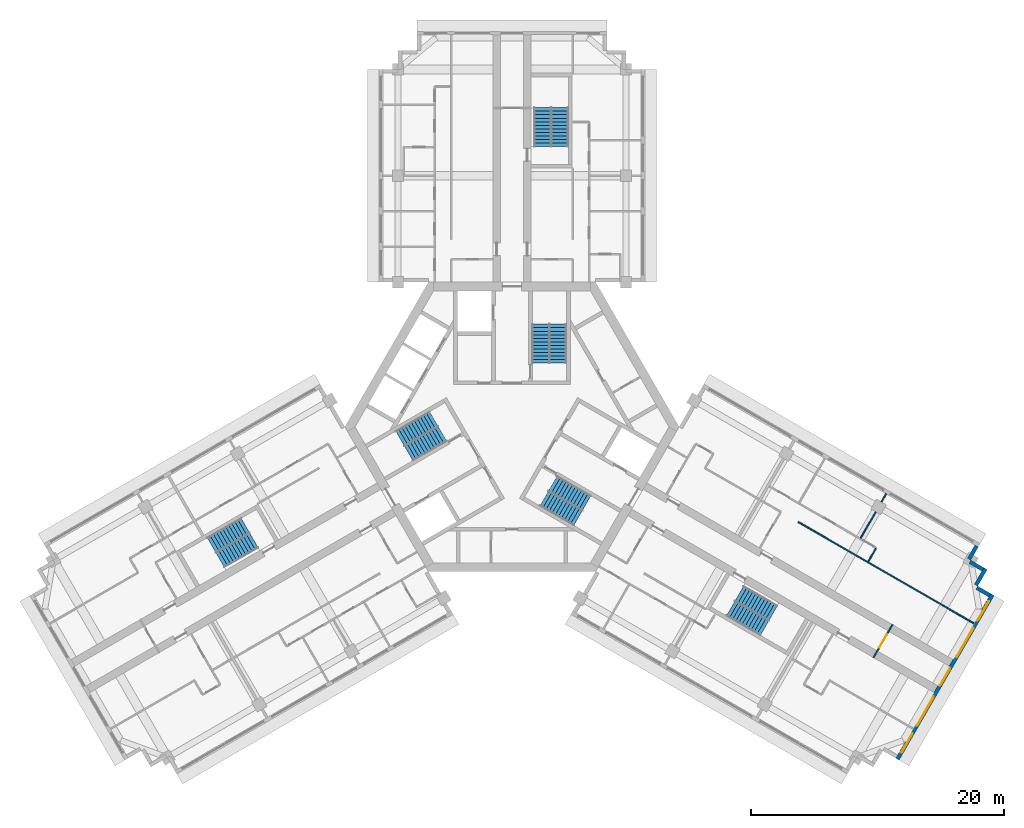
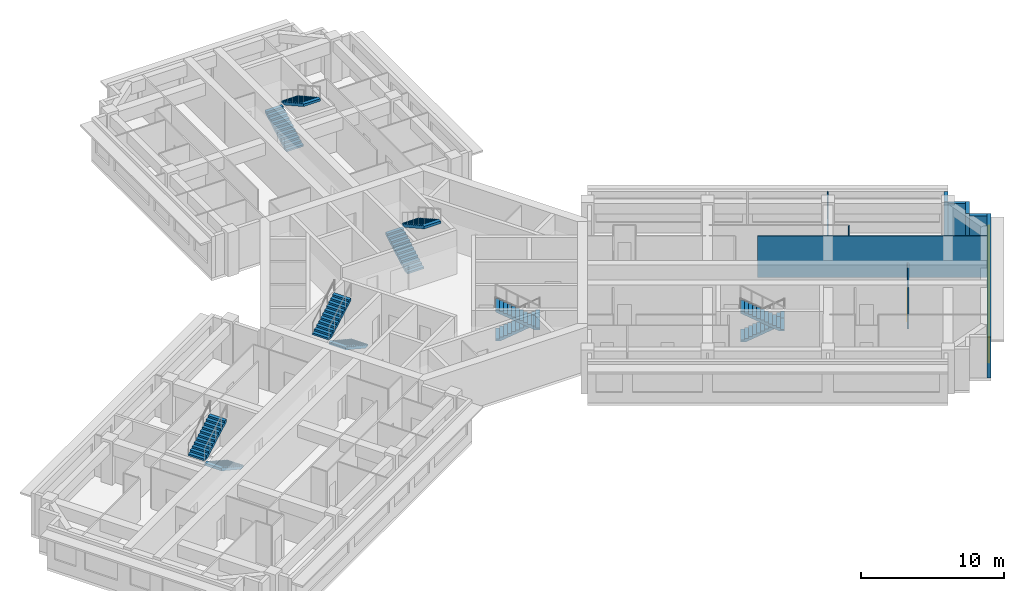
# One storey, part 9 of 10: 12 stair flights, 10 walls, 5 windows, 1 door, 6 openings, 6 elements without a shape of their own.
"""IFC4 building model written with IfcOpenShell, lengths in metres."""

from ifc_helpers import new_model, si_unit, direction, frame, frame_2d, origin, place, context, subcontext, project, spatial, polyline, rectangle, outline, extrude, material, layer, layer_set, type_object, element, fill, aggregate, save


model = new_model("IFC4")

# Units and contexts
model_context = context("Model", 3, precision=1e-05, world=origin(), true_north=direction((0.0, 1.0)))
body_context = subcontext(model_context, "Body", "Model", "MODEL_VIEW")
ifc_project = project(units=[si_unit("LENGTHUNIT", "METRE"), si_unit("AREAUNIT", "SQUARE_METRE"), si_unit("VOLUMEUNIT", "CUBIC_METRE"), si_unit("PLANEANGLEUNIT", "RADIAN"), si_unit("MASSUNIT", "GRAM", prefix="KILO")], contexts=[model_context])

# Site, building, storey
site_placement = place(None, origin())
site = spatial("IfcSite", under=ifc_project, at=site_placement, CompositionType="ELEMENT")
building_placement = place(site_placement, origin())
building = spatial("IfcBuilding", under=site, at=building_placement, Name="Impinga Residences", CompositionType="ELEMENT")
storey_placement = place(building_placement, frame((0.0, 0.0, 196.0)))
storey = spatial("IfcBuildingStorey", under=building, at=storey_placement, Name="L48", CompositionType="ELEMENT", Elevation=196.0)

# Wall, opening, door
ifc_material_1 = material(Name="Concrete blockwork", Category="masonry")
ifc_layer_1 = layer(ifc_material_1, 0.10009765625)
ifc_layer_set_1 = layer_set([ifc_layer_1], Name="CP1 core room partition, blockwork 100")
wall_type_1 = type_object("IfcWallType", Name="CP1 core room partition, blockwork 100", PredefinedType="PARTITIONING", material=ifc_layer_set_1)
wall_1_placement = place(storey_placement, frame((30.049072265625, -15.61669921875, 0.0), z_axis=(0.0, 0.0, 1.0), x_axis=(-0.499990139034, -0.866031096941, 0.0)))
wall_1 = element("IfcWall", 1, at=wall_1_placement, inside=storey, type_object=wall_type_1, Name="Core room partition, blockwork L48:E:LNG", PredefinedType="PARTITIONING", context=body_context, shape_type="SweptSolid", body=[
    extrude(rectangle(XDim=3.0, YDim=0.10009765625, at=frame_2d((1.5, 0.0))), origin(), (0.0, 0.0, 1.0), 3.530029296875),
])
opening_1_placement = place(wall_1_placement, frame((0.89990234375, 0.0, 0.0)))
opening_1 = element("IfcOpeningElement", 2, at=opening_1_placement, cuts=wall_1, Name="Opening D3", PredefinedType="OPENING", context=body_context, shape_type="SweptSolid", body=[
    extrude(rectangle(XDim=1.199951171875, YDim=2.10009765625, at=frame_2d((0.60009765625, 1.050048828125))), frame((0.0, 0.06005859375, 0.0), z_axis=(0.0, -1.0, 0.0), x_axis=(1.0, 0.0, 0.0)), (0.0, 0.0, 1.0), 0.1201171875),
])
ifc_material_2 = material(Name="Timber door set", Category="wood")
door_type = type_object("IfcDoorType", Name="D3 room door, leaf and a half 1200x2100", OperationType="DOUBLE_SWING_LEFT", PredefinedType="DOOR", material=ifc_material_2)
door_placement = place(opening_1_placement, origin())
door = element("IfcDoor", 3, at=door_placement, inside=storey, type_object=door_type, Name="Residents' lounge door E", OperationType="DOUBLE_SWING_LEFT", OverallHeight=2.10009765625, OverallWidth=1.199951171875, PredefinedType="DOOR", context=body_context, shape_type="SweptSolid", body=[
    extrude(rectangle(XDim=1.199951171875, YDim=2.10009765625, at=frame_2d((0.60009765625, 1.050048828125))), frame((0.0, 0.02490234375, 0.0), z_axis=(0.0, -1.0, 0.0), x_axis=(1.0, 0.0, 0.0)), (0.0, 0.0, 1.0), 0.050048828125),
])
fill(opening_1, door)

# Walls
ifc_material_3 = material(Name="Terracotta rainscreen on blockwork", Category="masonry")
ifc_layer_2 = layer(ifc_material_3, 0.300048828125)
ifc_layer_set_2 = layer_set([ifc_layer_2], Name="EW1 external wall, terracotta rainscreen on blockwork 300")
wall_type_2 = type_object("IfcWallType", Name="EW1 external wall, terracotta rainscreen on blockwork 300", PredefinedType="SOLIDWALL", material=ifc_layer_set_2)
wall_2_placement = place(storey_placement, frame((36.69384765625, -9.4072265625, 0.0), z_axis=(0.0, 0.0, 1.0), x_axis=(-0.499880961361, -0.866094119867, 0.0)))
element("IfcWall", 4, at=wall_2_placement, inside=storey, type_object=wall_type_2, Name="External wall EW1 L48", PredefinedType="SOLIDWALL", context=body_context, shape_type="SweptSolid", body=[
    extrude(rectangle(XDim=1.199951171875, YDim=0.300048828125, at=frame_2d((0.60009765625, 0.0))), origin(), (0.0, 0.0, 1.0), 3.530029296875),
])
wall_3_placement = place(storey_placement, frame((36.153076171875, -10.654052734375, 0.0), z_axis=(0.0, 0.0, 1.0), x_axis=(0.866059708757, -0.499940577336, 0.0)))
element("IfcWall", 5, at=wall_3_placement, inside=storey, type_object=wall_type_2, Name="External wall EW1 L48", PredefinedType="SOLIDWALL", context=body_context, shape_type="SweptSolid", body=[
    extrude(rectangle(XDim=1.195068359375, YDim=0.300048828125, at=frame_2d((0.59765625, 0.0))), origin(), (0.0, 0.0, 1.0), 3.530029296875),
])
wall_4_placement = place(storey_placement, frame((37.39306640625, -11.196533203125, 0.0), z_axis=(0.0, 0.0, 1.0), x_axis=(-0.499990139034, -0.866031096941, 0.0)))
element("IfcWall", 6, at=wall_4_placement, inside=storey, type_object=wall_type_2, Name="External wall EW1 L48", PredefinedType="SOLIDWALL", context=body_context, shape_type="SweptSolid", body=[
    extrude(rectangle(XDim=1.5, YDim=0.300048828125, at=frame_2d((0.75, 0.0))), origin(), (0.0, 0.0, 1.0), 3.530029296875),
])
wall_5_placement = place(storey_placement, frame((36.7021484375, -12.702880859375, 0.0), z_axis=(0.0, 0.0, 1.0), x_axis=(0.865971243484, -0.500093796661, 0.0)))
element("IfcWall", 7, at=wall_5_placement, inside=storey, type_object=wall_type_2, Name="External wall EW1 L48", PredefinedType="SOLIDWALL", context=body_context, shape_type="SweptSolid", body=[
    extrude(rectangle(XDim=1.195068359375, YDim=0.300048828125, at=frame_2d((0.59765625, 0.0))), origin(), (0.0, 0.0, 1.0), 3.530029296875),
])

# Wall, openings, windows
wall_6_placement = place(storey_placement, frame((37.94189453125, -13.24560546875, 0.0), z_axis=(0.0, 0.0, 1.0), x_axis=(-0.500004234368, -0.866022959057, 0.0)))
wall_6 = element("IfcWall", 8, at=wall_6_placement, inside=storey, type_object=wall_type_2, Name="External wall EW1 L48", PredefinedType="SOLIDWALL", context=body_context, shape_type="SweptSolid", body=[
    extrude(rectangle(XDim=14.999755859375, YDim=0.300048828125, at=frame_2d((7.5, 0.0))), origin(), (0.0, 0.0, 1.0), 3.530029296875),
])
opening_2_placement = place(wall_6_placement, frame((0.60009765625, 0.0, 0.89990234375)))
opening_2 = element("IfcOpeningElement", 9, at=opening_2_placement, cuts=wall_6, Name="Opening W1", PredefinedType="OPENING", context=body_context, shape_type="SweptSolid", body=[
    extrude(rectangle(XDim=1.75, YDim=2.050048828125, at=frame_2d((0.875, 1.02490234375))), frame((0.0, 0.159912109375, 0.0), z_axis=(0.0, -1.0, 0.0), x_axis=(1.0, 0.0, 0.0)), (0.0, 0.0, 1.0), 0.320068359375),
])
opening_3_placement = place(wall_6_placement, frame((3.050048828125, 0.0, 0.89990234375)))
opening_3 = element("IfcOpeningElement", 10, at=opening_3_placement, cuts=wall_6, Name="Opening W18", PredefinedType="OPENING", context=body_context, shape_type="SweptSolid", body=[
    extrude(rectangle(XDim=2.64990234375, YDim=2.050048828125, at=frame_2d((1.324951171875, 1.02490234375))), frame((0.0, 0.159912109375, 0.0), z_axis=(0.0, -1.0, 0.0), x_axis=(1.0, 0.0, 0.0)), (0.0, 0.0, 1.0), 0.320068359375),
])
opening_4_placement = place(wall_6_placement, frame((6.699951171875, 0.0, 0.89990234375)))
opening_4 = element("IfcOpeningElement", 11, at=opening_4_placement, cuts=wall_6, Name="Opening W19", PredefinedType="OPENING", context=body_context, shape_type="SweptSolid", body=[
    extrude(rectangle(XDim=1.60009765625, YDim=2.050048828125, at=frame_2d((0.800048828125, 1.02490234375))), frame((0.0, 0.159912109375, 0.0), z_axis=(0.0, -1.0, 0.0), x_axis=(1.0, 0.0, 0.0)), (0.0, 0.0, 1.0), 0.320068359375),
])
opening_5_placement = place(wall_6_placement, frame((9.300048828125, 0.0, 0.89990234375)))
opening_5 = element("IfcOpeningElement", 12, at=opening_5_placement, cuts=wall_6, Name="Opening W18", PredefinedType="OPENING", context=body_context, shape_type="SweptSolid", body=[
    extrude(rectangle(XDim=2.64990234375, YDim=2.050048828125, at=frame_2d((1.324951171875, 1.02490234375))), frame((0.0, 0.159912109375, 0.0), z_axis=(0.0, -1.0, 0.0), x_axis=(1.0, 0.0, 0.0)), (0.0, 0.0, 1.0), 0.320068359375),
])
opening_6_placement = place(wall_6_placement, frame((12.64990234375, 0.0, 0.89990234375)))
opening_6 = element("IfcOpeningElement", 13, at=opening_6_placement, cuts=wall_6, Name="Opening W1", PredefinedType="OPENING", context=body_context, shape_type="SweptSolid", body=[
    extrude(rectangle(XDim=1.75, YDim=2.050048828125, at=frame_2d((0.875, 1.02490234375))), frame((0.0, 0.159912109375, 0.0), z_axis=(0.0, -1.0, 0.0), x_axis=(1.0, 0.0, 0.0)), (0.0, 0.0, 1.0), 0.320068359375),
])
ifc_material_4 = material(Name="Aluminium window, clear double glazing", Category="aluminium")
window_type_1 = type_object("IfcWindowType", Name="W1 ribbon window 1750x2050", PartitioningType="SINGLE_PANEL", PredefinedType="WINDOW", material=ifc_material_4)
window_1_placement = place(opening_2_placement, origin())
window_1 = element("IfcWindow", 14, at=window_1_placement, inside=storey, type_object=window_type_1, Name="Window L48", OverallHeight=2.050048828125, OverallWidth=1.75, PartitioningType="SINGLE_PANEL", PredefinedType="WINDOW", context=body_context, shape_type="SweptSolid", body=[
    extrude(rectangle(XDim=1.75, YDim=2.050048828125, at=frame_2d((0.875, 1.02490234375))), frame((0.0, 0.030029296875, 0.0), z_axis=(0.0, -1.0, 0.0), x_axis=(1.0, 0.0, 0.0)), (0.0, 0.0, 1.0), 0.06005859375),
])
fill(opening_2, window_1)
window_2_placement = place(opening_6_placement, origin())
window_2 = element("IfcWindow", 15, at=window_2_placement, inside=storey, type_object=window_type_1, Name="Window L48", OverallHeight=2.050048828125, OverallWidth=1.75, PartitioningType="SINGLE_PANEL", PredefinedType="WINDOW", context=body_context, shape_type="SweptSolid", body=[
    extrude(rectangle(XDim=1.75, YDim=2.050048828125, at=frame_2d((0.875, 1.02490234375))), frame((0.0, 0.030029296875, 0.0), z_axis=(0.0, -1.0, 0.0), x_axis=(1.0, 0.0, 0.0)), (0.0, 0.0, 1.0), 0.06005859375),
])
fill(opening_6, window_2)
window_type_2 = type_object("IfcWindowType", Name="W18 ribbon window 2650x2050", PartitioningType="SINGLE_PANEL", PredefinedType="WINDOW", material=ifc_material_4)
window_3_placement = place(opening_3_placement, origin())
window_3 = element("IfcWindow", 16, at=window_3_placement, inside=storey, type_object=window_type_2, Name="Window L48", OverallHeight=2.050048828125, OverallWidth=2.64990234375, PartitioningType="SINGLE_PANEL", PredefinedType="WINDOW", context=body_context, shape_type="SweptSolid", body=[
    extrude(rectangle(XDim=2.64990234375, YDim=2.050048828125, at=frame_2d((1.324951171875, 1.02490234375))), frame((0.0, 0.030029296875, 0.0), z_axis=(0.0, -1.0, 0.0), x_axis=(1.0, 0.0, 0.0)), (0.0, 0.0, 1.0), 0.06005859375),
])
fill(opening_3, window_3)
window_4_placement = place(opening_5_placement, origin())
window_4 = element("IfcWindow", 17, at=window_4_placement, inside=storey, type_object=window_type_2, Name="Window L48", OverallHeight=2.050048828125, OverallWidth=2.64990234375, PartitioningType="SINGLE_PANEL", PredefinedType="WINDOW", context=body_context, shape_type="SweptSolid", body=[
    extrude(rectangle(XDim=2.64990234375, YDim=2.050048828125, at=frame_2d((1.324951171875, 1.02490234375))), frame((0.0, 0.030029296875, 0.0), z_axis=(0.0, -1.0, 0.0), x_axis=(1.0, 0.0, 0.0)), (0.0, 0.0, 1.0), 0.06005859375),
])
fill(opening_5, window_4)
window_type_3 = type_object("IfcWindowType", Name="W19 ribbon window 1600x2050", PartitioningType="SINGLE_PANEL", PredefinedType="WINDOW", material=ifc_material_4)
window_5_placement = place(opening_4_placement, origin())
window_5 = element("IfcWindow", 18, at=window_5_placement, inside=storey, type_object=window_type_3, Name="Window L48", OverallHeight=2.050048828125, OverallWidth=1.60009765625, PartitioningType="SINGLE_PANEL", PredefinedType="WINDOW", context=body_context, shape_type="SweptSolid", body=[
    extrude(rectangle(XDim=1.60009765625, YDim=2.050048828125, at=frame_2d((0.800048828125, 1.02490234375))), frame((0.0, 0.030029296875, 0.0), z_axis=(0.0, -1.0, 0.0), x_axis=(1.0, 0.0, 0.0)), (0.0, 0.0, 1.0), 0.06005859375),
])
fill(opening_4, window_5)

# Walls
ifc_material_5 = material(Name="Gypsum board on steel studs", Category="steel")
ifc_layer_3 = layer(ifc_material_5, 0.10009765625)
ifc_layer_set_3 = layer_set([ifc_layer_3], Name="Gypsum board on steel studs")
wall_type_3 = type_object("IfcWallType", Name="IP1 partition 100", PredefinedType="PARTITIONING", material=ifc_layer_set_3)
wall_7_placement = place(storey_placement, frame((22.605712890625, -7.5087890625, 0.0), z_axis=(0.0, 0.0, 1.0), x_axis=(0.866026010844, -0.49999894854, 0.0)))
element("IfcWall", 19, at=wall_7_placement, inside=storey, type_object=wall_type_3, Name="Partition L48-EA2:DIV1", PredefinedType="PARTITIONING", context=body_context, shape_type="SweptSolid", body=[
    extrude(rectangle(XDim=16.0, YDim=0.10009765625, at=frame_2d((8.0, 0.0))), origin(), (0.0, 0.0, 1.0), 3.530029296875),
])
wall_8_placement = place(storey_placement, frame((28.1298828125, -10.640625, 0.0), z_axis=(0.0, 0.0, 1.0), x_axis=(0.500033551112, 0.866006032174, 0.0)))
element("IfcWall", 20, at=wall_8_placement, inside=storey, type_object=wall_type_3, Name="Partition L48-EA2:SE1", PredefinedType="PARTITIONING", context=body_context, shape_type="SweptSolid", body=[
    extrude(rectangle(XDim=1.2001953125, YDim=0.10009765625, at=frame_2d((0.60009765625, 0.0))), origin(), (0.0, 0.0, 1.0), 3.530029296875),
])
wall_9_placement = place(storey_placement, frame((27.524169921875, -8.789794921875, 0.0), z_axis=(0.0, 0.0, 1.0), x_axis=(0.499957262057, 0.866050077142, 0.0)))
element("IfcWall", 21, at=wall_9_placement, inside=storey, type_object=wall_type_3, Name="Partition L48-EA2:OB2", PredefinedType="PARTITIONING", context=body_context, shape_type="SweptSolid", body=[
    extrude(rectangle(XDim=2.400146484375, YDim=0.10009765625, at=frame_2d((1.2001953125, 0.0))), origin(), (0.0, 0.0, 1.0), 2.47998046875),
])
wall_10_placement = place(storey_placement, frame((29.17431640625, -5.931884765625, 0.0), z_axis=(0.0, 0.0, 1.0), x_axis=(0.499919672301, 0.866071776036, 0.0)))
element("IfcWall", 22, at=wall_10_placement, inside=storey, type_object=wall_type_3, Name="Partition L48-EA2:OB2b", PredefinedType="PARTITIONING", context=body_context, shape_type="SweptSolid", body=[
    extrude(rectangle(XDim=0.75, YDim=0.10009765625, at=frame_2d((0.375, 0.0))), origin(), (0.0, 0.0, 1.0), 3.530029296875),
])

# Stair, stair flights
ifc_material_6 = material(Name="Concrete C40/50", Category="concrete")
stair_type_1 = type_object("IfcStairType", Name="STR core stair 3750 storey, 24 risers", PredefinedType="HALF_TURN_STAIR", material=ifc_material_6)
stair_1_placement = place(storey_placement, origin())
stair_1 = element("IfcStair", 23, at=stair_1_placement, inside=storey, type_object=stair_type_1, Name="Stair ST1 L48", PredefinedType="HALF_TURN_STAIR")
stair_flight_type = type_object("IfcStairFlightType", Name="SF 12 risers of 156", PredefinedType="STRAIGHT", material=ifc_material_6)
stair_flight_1_placement = place(storey_placement, frame((2.27490234375, 5.030029296875, 0.0), z_axis=(0.0, 0.0, 1.0), x_axis=(0.0, 1.0, 0.0)))
stair_flight_1 = element("IfcStairFlight", 24, at=stair_flight_1_placement, type_object=stair_flight_type, Name="ST1 flight 1", NumberOfRisers=12, NumberOfTreads=11, PredefinedType="STRAIGHT", RiserHeight=0.15625, TreadLength=0.28, context=body_context, shape_type="SweptSolid", body=[
    extrude(outline(polyline([(0.0, 0.0), (0.0, 0.15625), (0.280029296875, 0.15625), (0.280029296875, 0.3125), (0.56005859375, 0.3125), (0.56005859375, 0.46875), (0.840087890625, 0.46875), (0.840087890625, 0.625), (1.1201171875, 0.625), (1.1201171875, 0.78125), (1.39990234375, 0.78125), (1.39990234375, 0.9375), (1.679931640625, 0.9375), (1.679931640625, 1.09375), (1.9599609375, 1.09375), (1.9599609375, 1.25), (2.239990234375, 1.25), (2.239990234375, 1.40625), (2.52001953125, 1.40625), (2.52001953125, 1.5625), (2.800048828125, 1.5625), (2.800048828125, 1.71875), (3.080078125, 1.71875), (3.080078125, 1.875), (3.080078125, 1.5126953125), (0.369140625, 0.0), (0.0, 0.0)])), frame((0.0, 0.675048828125, 0.0), z_axis=(0.0, -1.0, 0.0), x_axis=(1.0, 0.0, 0.0)), (0.0, 0.0, 1.0), 1.35009765625),
])
stair_flight_2_placement = place(storey_placement, frame((3.625, 8.110107421875, 1.875), z_axis=(0.0, 0.0, 1.0), x_axis=(0.0, -1.0, 0.0)))
stair_flight_2 = element("IfcStairFlight", 25, at=stair_flight_2_placement, type_object=stair_flight_type, Name="ST1 flight 2", NumberOfRisers=12, NumberOfTreads=11, PredefinedType="STRAIGHT", RiserHeight=0.15625, TreadLength=0.28, context=body_context, shape_type="SweptSolid", body=[
    extrude(outline(polyline([(0.0, 0.0), (0.0, 0.15625), (0.280029296875, 0.15625), (0.280029296875, 0.3125), (0.56005859375, 0.3125), (0.56005859375, 0.46875), (0.840087890625, 0.46875), (0.840087890625, 0.625), (1.1201171875, 0.625), (1.1201171875, 0.78125), (1.39990234375, 0.78125), (1.39990234375, 0.9375), (1.679931640625, 0.9375), (1.679931640625, 1.09375), (1.9599609375, 1.09375), (1.9599609375, 1.25), (2.239990234375, 1.25), (2.239990234375, 1.40625), (2.52001953125, 1.40625), (2.52001953125, 1.5625), (2.800048828125, 1.5625), (2.800048828125, 1.71875), (3.080078125, 1.71875), (3.080078125, 1.875), (3.080078125, 1.5126953125), (0.369140625, 0.0), (0.0, 0.0)])), frame((0.0, 0.675048828125, 0.0), z_axis=(0.0, -1.0, 0.0), x_axis=(1.0, 0.0, 0.0)), (0.0, 0.0, 1.0), 1.35009765625),
])
aggregate(stair_1, [stair_flight_1, stair_flight_2])

stair_2_placement = place(storey_placement, origin())
stair_2 = element("IfcStair", 26, at=stair_2_placement, inside=storey, type_object=stair_type_1, Name="Stair ST2 L48", PredefinedType="HALF_TURN_STAIR")
stair_flight_3_placement = place(storey_placement, frame((-5.49365234375, -0.544677734375, 0.0), z_axis=(0.0, 0.0, 1.0), x_axis=(-0.866025403784, -0.5, 0.0)))
stair_flight_3 = element("IfcStairFlight", 27, at=stair_flight_3_placement, type_object=stair_flight_type, Name="ST2 flight 1", NumberOfRisers=12, NumberOfTreads=11, PredefinedType="STRAIGHT", RiserHeight=0.15625, TreadLength=0.28, context=body_context, shape_type="SweptSolid", body=[
    extrude(outline(polyline([(0.0, 0.0), (0.0, 0.15625), (0.280029296875, 0.15625), (0.280029296875, 0.3125), (0.56005859375, 0.3125), (0.56005859375, 0.46875), (0.840087890625, 0.46875), (0.840087890625, 0.625), (1.1201171875, 0.625), (1.1201171875, 0.78125), (1.39990234375, 0.78125), (1.39990234375, 0.9375), (1.679931640625, 0.9375), (1.679931640625, 1.09375), (1.9599609375, 1.09375), (1.9599609375, 1.25), (2.239990234375, 1.25), (2.239990234375, 1.40625), (2.52001953125, 1.40625), (2.52001953125, 1.5625), (2.800048828125, 1.5625), (2.800048828125, 1.71875), (3.080078125, 1.71875), (3.080078125, 1.875), (3.080078125, 1.5126953125), (0.369140625, 0.0), (0.0, 0.0)])), frame((0.0, 0.675048828125, 0.0), z_axis=(0.0, -1.0, 0.0), x_axis=(1.0, 0.0, 0.0)), (0.0, 0.0, 1.0), 1.35009765625),
])
stair_flight_4_placement = place(storey_placement, frame((-8.8359375, -0.915771484375, 1.875), z_axis=(0.0, 0.0, 1.0), x_axis=(0.866025403784, 0.5, 0.0)))
stair_flight_4 = element("IfcStairFlight", 28, at=stair_flight_4_placement, type_object=stair_flight_type, Name="ST2 flight 2", NumberOfRisers=12, NumberOfTreads=11, PredefinedType="STRAIGHT", RiserHeight=0.15625, TreadLength=0.28, context=body_context, shape_type="SweptSolid", body=[
    extrude(outline(polyline([(0.0, 0.0), (0.0, 0.15625), (0.280029296875, 0.15625), (0.280029296875, 0.3125), (0.56005859375, 0.3125), (0.56005859375, 0.46875), (0.840087890625, 0.46875), (0.840087890625, 0.625), (1.1201171875, 0.625), (1.1201171875, 0.78125), (1.39990234375, 0.78125), (1.39990234375, 0.9375), (1.679931640625, 0.9375), (1.679931640625, 1.09375), (1.9599609375, 1.09375), (1.9599609375, 1.25), (2.239990234375, 1.25), (2.239990234375, 1.40625), (2.52001953125, 1.40625), (2.52001953125, 1.5625), (2.800048828125, 1.5625), (2.800048828125, 1.71875), (3.080078125, 1.71875), (3.080078125, 1.875), (3.080078125, 1.5126953125), (0.369140625, 0.0), (0.0, 0.0)])), frame((0.0, 0.675048828125, 0.0), z_axis=(0.0, -1.0, 0.0), x_axis=(1.0, 0.0, 0.0)), (0.0, 0.0, 1.0), 1.35009765625),
])
aggregate(stair_2, [stair_flight_3, stair_flight_4])

stair_3_placement = place(storey_placement, origin())
stair_3 = element("IfcStair", 29, at=stair_3_placement, inside=storey, type_object=stair_type_1, Name="Stair ST3 L48", PredefinedType="HALF_TURN_STAIR")
stair_flight_5_placement = place(storey_placement, frame((3.218505859375, -4.485107421875, 0.0), z_axis=(0.0, 0.0, 1.0), x_axis=(0.866025403784, -0.5, 0.0)))
stair_flight_5 = element("IfcStairFlight", 30, at=stair_flight_5_placement, type_object=stair_flight_type, Name="ST3 flight 1", NumberOfRisers=12, NumberOfTreads=11, PredefinedType="STRAIGHT", RiserHeight=0.15625, TreadLength=0.28, context=body_context, shape_type="SweptSolid", body=[
    extrude(outline(polyline([(0.0, 0.0), (0.0, 0.15625), (0.280029296875, 0.15625), (0.280029296875, 0.3125), (0.56005859375, 0.3125), (0.56005859375, 0.46875), (0.840087890625, 0.46875), (0.840087890625, 0.625), (1.1201171875, 0.625), (1.1201171875, 0.78125), (1.39990234375, 0.78125), (1.39990234375, 0.9375), (1.679931640625, 0.9375), (1.679931640625, 1.09375), (1.9599609375, 1.09375), (1.9599609375, 1.25), (2.239990234375, 1.25), (2.239990234375, 1.40625), (2.52001953125, 1.40625), (2.52001953125, 1.5625), (2.800048828125, 1.5625), (2.800048828125, 1.71875), (3.080078125, 1.71875), (3.080078125, 1.875), (3.080078125, 1.5126953125), (0.369140625, 0.0), (0.0, 0.0)])), frame((0.0, 0.675048828125, 0.0), z_axis=(0.0, -1.0, 0.0), x_axis=(1.0, 0.0, 0.0)), (0.0, 0.0, 1.0), 1.35009765625),
])
stair_flight_6_placement = place(storey_placement, frame((5.2109375, -7.1943359375, 1.875), z_axis=(0.0, 0.0, 1.0), x_axis=(-0.866025403784, 0.5, 0.0)))
stair_flight_6 = element("IfcStairFlight", 31, at=stair_flight_6_placement, type_object=stair_flight_type, Name="ST3 flight 2", NumberOfRisers=12, NumberOfTreads=11, PredefinedType="STRAIGHT", RiserHeight=0.15625, TreadLength=0.28, context=body_context, shape_type="SweptSolid", body=[
    extrude(outline(polyline([(0.0, 0.0), (0.0, 0.15625), (0.280029296875, 0.15625), (0.280029296875, 0.3125), (0.56005859375, 0.3125), (0.56005859375, 0.46875), (0.840087890625, 0.46875), (0.840087890625, 0.625), (1.1201171875, 0.625), (1.1201171875, 0.78125), (1.39990234375, 0.78125), (1.39990234375, 0.9375), (1.679931640625, 0.9375), (1.679931640625, 1.09375), (1.9599609375, 1.09375), (1.9599609375, 1.25), (2.239990234375, 1.25), (2.239990234375, 1.40625), (2.52001953125, 1.40625), (2.52001953125, 1.5625), (2.800048828125, 1.5625), (2.800048828125, 1.71875), (3.080078125, 1.71875), (3.080078125, 1.875), (3.080078125, 1.5126953125), (0.369140625, 0.0), (0.0, 0.0)])), frame((0.0, 0.675048828125, 0.0), z_axis=(0.0, -1.0, 0.0), x_axis=(1.0, 0.0, 0.0)), (0.0, 0.0, 1.0), 1.35009765625),
])
aggregate(stair_3, [stair_flight_5, stair_flight_6])

stair_type_2 = type_object("IfcStairType", Name="STR wing stair 3750 storey, 24 risers", PredefinedType="HALF_TURN_STAIR", material=ifc_material_6)
stair_4_placement = place(storey_placement, origin())
stair_4 = element("IfcStair", 32, at=stair_4_placement, inside=storey, type_object=stair_type_2, Name="Stair WS1 L48", PredefinedType="HALF_TURN_STAIR")
stair_flight_7_placement = place(storey_placement, frame((2.425048828125, 22.131591796875, 0.0), z_axis=(0.0, 0.0, 1.0), x_axis=(0.0, 1.0, 0.0)))
stair_flight_7 = element("IfcStairFlight", 33, at=stair_flight_7_placement, type_object=stair_flight_type, Name="WS1 flight 1", NumberOfRisers=12, NumberOfTreads=11, PredefinedType="STRAIGHT", RiserHeight=0.15625, TreadLength=0.28, context=body_context, shape_type="SweptSolid", body=[
    extrude(outline(polyline([(0.0, 0.0), (0.0, 0.15625), (0.280029296875, 0.15625), (0.280029296875, 0.3125), (0.56005859375, 0.3125), (0.56005859375, 0.46875), (0.840087890625, 0.46875), (0.840087890625, 0.625), (1.1201171875, 0.625), (1.1201171875, 0.78125), (1.39990234375, 0.78125), (1.39990234375, 0.9375), (1.679931640625, 0.9375), (1.679931640625, 1.09375), (1.9599609375, 1.09375), (1.9599609375, 1.25), (2.239990234375, 1.25), (2.239990234375, 1.40625), (2.52001953125, 1.40625), (2.52001953125, 1.5625), (2.800048828125, 1.5625), (2.800048828125, 1.71875), (3.080078125, 1.71875), (3.080078125, 1.875), (3.080078125, 1.5126953125), (0.369140625, 0.0), (0.0, 0.0)])), frame((0.0, 0.675048828125, 0.0), z_axis=(0.0, -1.0, 0.0), x_axis=(1.0, 0.0, 0.0)), (0.0, 0.0, 1.0), 1.35009765625),
])
stair_flight_8_placement = place(storey_placement, frame((3.77490234375, 25.21142578125, 1.875), z_axis=(0.0, 0.0, 1.0), x_axis=(0.0, -1.0, 0.0)))
stair_flight_8 = element("IfcStairFlight", 34, at=stair_flight_8_placement, type_object=stair_flight_type, Name="WS1 flight 2", NumberOfRisers=12, NumberOfTreads=11, PredefinedType="STRAIGHT", RiserHeight=0.15625, TreadLength=0.28, context=body_context, shape_type="SweptSolid", body=[
    extrude(outline(polyline([(0.0, 0.0), (0.0, 0.15625), (0.280029296875, 0.15625), (0.280029296875, 0.3125), (0.56005859375, 0.3125), (0.56005859375, 0.46875), (0.840087890625, 0.46875), (0.840087890625, 0.625), (1.1201171875, 0.625), (1.1201171875, 0.78125), (1.39990234375, 0.78125), (1.39990234375, 0.9375), (1.679931640625, 0.9375), (1.679931640625, 1.09375), (1.9599609375, 1.09375), (1.9599609375, 1.25), (2.239990234375, 1.25), (2.239990234375, 1.40625), (2.52001953125, 1.40625), (2.52001953125, 1.5625), (2.800048828125, 1.5625), (2.800048828125, 1.71875), (3.080078125, 1.71875), (3.080078125, 1.875), (3.080078125, 1.5126953125), (0.369140625, 0.0), (0.0, 0.0)])), frame((0.0, 0.675048828125, 0.0), z_axis=(0.0, -1.0, 0.0), x_axis=(1.0, 0.0, 0.0)), (0.0, 0.0, 1.0), 1.35009765625),
])
aggregate(stair_4, [stair_flight_7, stair_flight_8])

stair_5_placement = place(storey_placement, origin())
stair_5 = element("IfcStair", 35, at=stair_5_placement, inside=storey, type_object=stair_type_2, Name="Stair WS2 L48", PredefinedType="HALF_TURN_STAIR")
stair_flight_9_placement = place(storey_placement, frame((-20.37890625, -8.965576171875, 0.0), z_axis=(0.0, 0.0, 1.0), x_axis=(-0.866025403784, -0.5, 0.0)))
stair_flight_9 = element("IfcStairFlight", 36, at=stair_flight_9_placement, type_object=stair_flight_type, Name="WS2 flight 1", NumberOfRisers=12, NumberOfTreads=11, PredefinedType="STRAIGHT", RiserHeight=0.15625, TreadLength=0.28, context=body_context, shape_type="SweptSolid", body=[
    extrude(outline(polyline([(0.0, 0.0), (0.0, 0.15625), (0.280029296875, 0.15625), (0.280029296875, 0.3125), (0.56005859375, 0.3125), (0.56005859375, 0.46875), (0.840087890625, 0.46875), (0.840087890625, 0.625), (1.1201171875, 0.625), (1.1201171875, 0.78125), (1.39990234375, 0.78125), (1.39990234375, 0.9375), (1.679931640625, 0.9375), (1.679931640625, 1.09375), (1.9599609375, 1.09375), (1.9599609375, 1.25), (2.239990234375, 1.25), (2.239990234375, 1.40625), (2.52001953125, 1.40625), (2.52001953125, 1.5625), (2.800048828125, 1.5625), (2.800048828125, 1.71875), (3.080078125, 1.71875), (3.080078125, 1.875), (3.080078125, 1.5126953125), (0.369140625, 0.0), (0.0, 0.0)])), frame((0.0, 0.675048828125, 0.0), z_axis=(0.0, -1.0, 0.0), x_axis=(1.0, 0.0, 0.0)), (0.0, 0.0, 1.0), 1.35009765625),
])
stair_flight_10_placement = place(storey_placement, frame((-23.721435546875, -9.33642578125, 1.875), z_axis=(0.0, 0.0, 1.0), x_axis=(0.866025403784, 0.5, 0.0)))
stair_flight_10 = element("IfcStairFlight", 37, at=stair_flight_10_placement, type_object=stair_flight_type, Name="WS2 flight 2", NumberOfRisers=12, NumberOfTreads=11, PredefinedType="STRAIGHT", RiserHeight=0.15625, TreadLength=0.28, context=body_context, shape_type="SweptSolid", body=[
    extrude(outline(polyline([(0.0, 0.0), (0.0, 0.15625), (0.280029296875, 0.15625), (0.280029296875, 0.3125), (0.56005859375, 0.3125), (0.56005859375, 0.46875), (0.840087890625, 0.46875), (0.840087890625, 0.625), (1.1201171875, 0.625), (1.1201171875, 0.78125), (1.39990234375, 0.78125), (1.39990234375, 0.9375), (1.679931640625, 0.9375), (1.679931640625, 1.09375), (1.9599609375, 1.09375), (1.9599609375, 1.25), (2.239990234375, 1.25), (2.239990234375, 1.40625), (2.52001953125, 1.40625), (2.52001953125, 1.5625), (2.800048828125, 1.5625), (2.800048828125, 1.71875), (3.080078125, 1.71875), (3.080078125, 1.875), (3.080078125, 1.5126953125), (0.369140625, 0.0), (0.0, 0.0)])), frame((0.0, 0.675048828125, 0.0), z_axis=(0.0, -1.0, 0.0), x_axis=(1.0, 0.0, 0.0)), (0.0, 0.0, 1.0), 1.35009765625),
])
aggregate(stair_5, [stair_flight_9, stair_flight_10])

stair_6_placement = place(storey_placement, origin())
stair_6 = element("IfcStair", 38, at=stair_6_placement, inside=storey, type_object=stair_type_2, Name="Stair WS3 L48", PredefinedType="HALF_TURN_STAIR")
stair_flight_11_placement = place(storey_placement, frame((17.953857421875, -13.165771484375, 0.0), z_axis=(0.0, 0.0, 1.0), x_axis=(0.866025403784, -0.5, 0.0)))
stair_flight_11 = element("IfcStairFlight", 39, at=stair_flight_11_placement, type_object=stair_flight_type, Name="WS3 flight 1", NumberOfRisers=12, NumberOfTreads=11, PredefinedType="STRAIGHT", RiserHeight=0.15625, TreadLength=0.28, context=body_context, shape_type="SweptSolid", body=[
    extrude(outline(polyline([(0.0, 0.0), (0.0, 0.15625), (0.280029296875, 0.15625), (0.280029296875, 0.3125), (0.56005859375, 0.3125), (0.56005859375, 0.46875), (0.840087890625, 0.46875), (0.840087890625, 0.625), (1.1201171875, 0.625), (1.1201171875, 0.78125), (1.39990234375, 0.78125), (1.39990234375, 0.9375), (1.679931640625, 0.9375), (1.679931640625, 1.09375), (1.9599609375, 1.09375), (1.9599609375, 1.25), (2.239990234375, 1.25), (2.239990234375, 1.40625), (2.52001953125, 1.40625), (2.52001953125, 1.5625), (2.800048828125, 1.5625), (2.800048828125, 1.71875), (3.080078125, 1.71875), (3.080078125, 1.875), (3.080078125, 1.5126953125), (0.369140625, 0.0), (0.0, 0.0)])), frame((0.0, 0.675048828125, 0.0), z_axis=(0.0, -1.0, 0.0), x_axis=(1.0, 0.0, 0.0)), (0.0, 0.0, 1.0), 1.35009765625),
])
stair_flight_12_placement = place(storey_placement, frame((19.9462890625, -15.875, 1.875), z_axis=(0.0, 0.0, 1.0), x_axis=(-0.866025403784, 0.5, 0.0)))
stair_flight_12 = element("IfcStairFlight", 40, at=stair_flight_12_placement, type_object=stair_flight_type, Name="WS3 flight 2", NumberOfRisers=12, NumberOfTreads=11, PredefinedType="STRAIGHT", RiserHeight=0.15625, TreadLength=0.28, context=body_context, shape_type="SweptSolid", body=[
    extrude(outline(polyline([(0.0, 0.0), (0.0, 0.15625), (0.280029296875, 0.15625), (0.280029296875, 0.3125), (0.56005859375, 0.3125), (0.56005859375, 0.46875), (0.840087890625, 0.46875), (0.840087890625, 0.625), (1.1201171875, 0.625), (1.1201171875, 0.78125), (1.39990234375, 0.78125), (1.39990234375, 0.9375), (1.679931640625, 0.9375), (1.679931640625, 1.09375), (1.9599609375, 1.09375), (1.9599609375, 1.25), (2.239990234375, 1.25), (2.239990234375, 1.40625), (2.52001953125, 1.40625), (2.52001953125, 1.5625), (2.800048828125, 1.5625), (2.800048828125, 1.71875), (3.080078125, 1.71875), (3.080078125, 1.875), (3.080078125, 1.5126953125), (0.369140625, 0.0), (0.0, 0.0)])), frame((0.0, 0.675048828125, 0.0), z_axis=(0.0, -1.0, 0.0), x_axis=(1.0, 0.0, 0.0)), (0.0, 0.0, 1.0), 1.35009765625),
])
aggregate(stair_6, [stair_flight_11, stair_flight_12])

save(model, "model.ifc")
